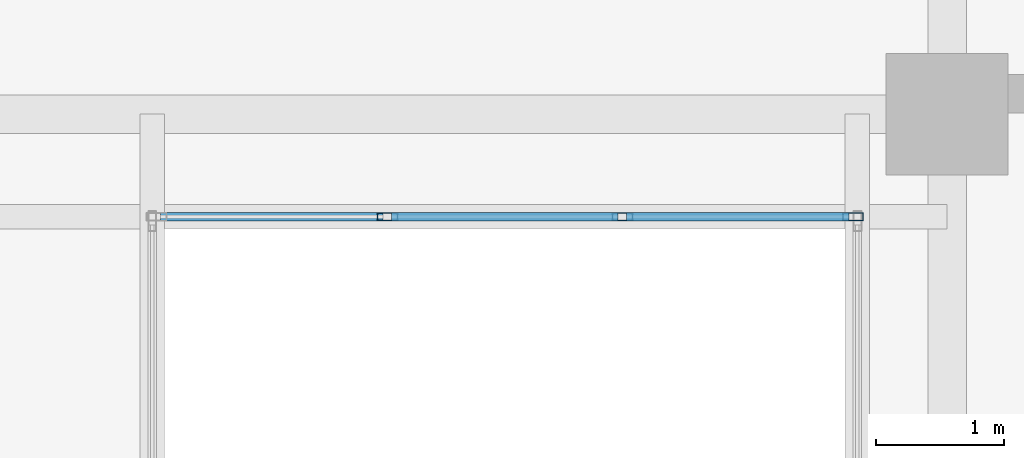
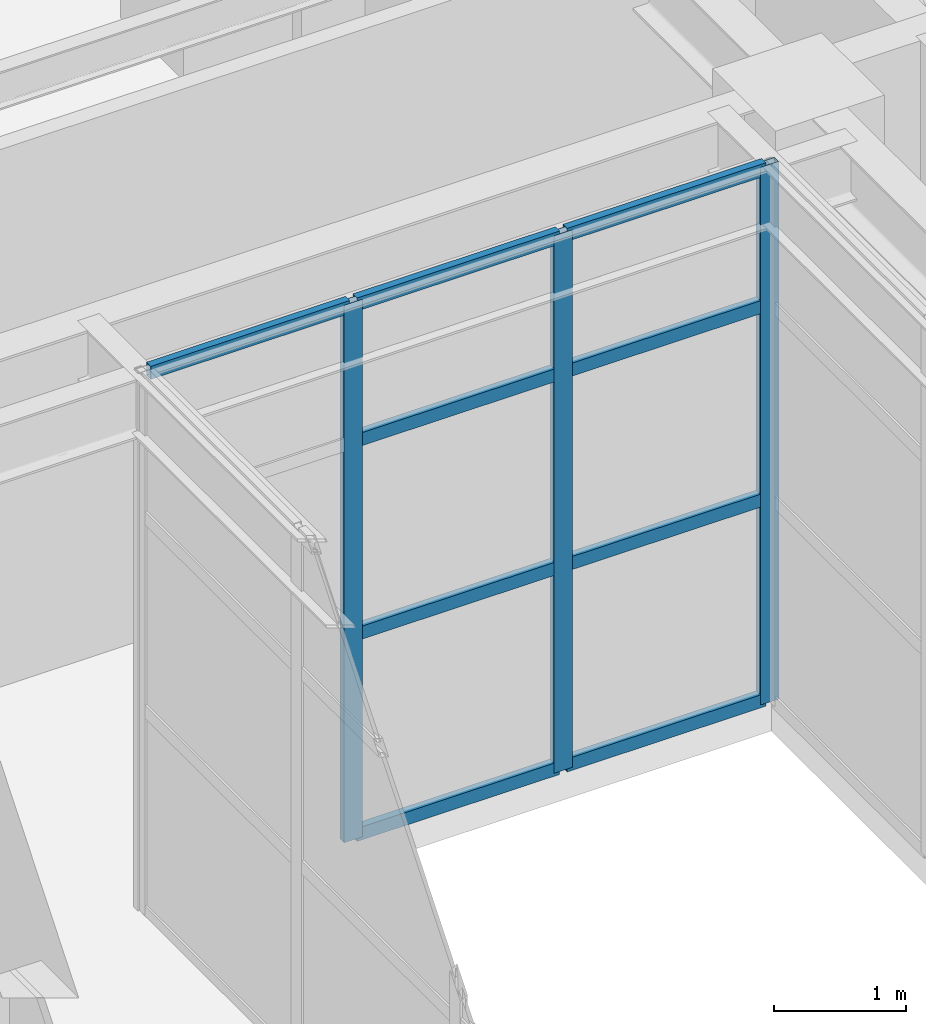
# One storey, part 3 of 13: 12 members, 1 element without a shape of its own.
"""IFC4 building model written with IfcOpenShell, lengths in metres."""

from ifc_helpers import new_model, si_unit, direction, frame, origin, origin_2d, place, context, subcontext, project, spatial, hollow_rectangle, extrude, material, layer, layer_set, material_profile, profile_set, type_object, element, aggregate, save


model = new_model("IFC4")

# Units and contexts
model_context = context("Model", 3, precision=1e-05, world=origin(), true_north=direction((0.0, 1.0)))
body_context = subcontext(model_context, "Body", "Model", "MODEL_VIEW")
ifc_project = project(units=[si_unit("LENGTHUNIT", "METRE"), si_unit("AREAUNIT", "SQUARE_METRE"), si_unit("VOLUMEUNIT", "CUBIC_METRE"), si_unit("PLANEANGLEUNIT", "RADIAN"), si_unit("MASSUNIT", "GRAM", prefix="KILO")], contexts=[model_context])

# Site, building, storey
site_placement = place(None, origin())
site = spatial("IfcSite", under=ifc_project, at=site_placement, CompositionType="ELEMENT")
building_placement = place(site_placement, origin())
building = spatial("IfcBuilding", under=site, at=building_placement, Name="Kundavana Baori Tower", CompositionType="ELEMENT")
storey_placement = place(building_placement, frame((0.0, 0.0, 208.89990234375)))
storey = spatial("IfcBuildingStorey", under=building, at=storey_placement, Name="L51", CompositionType="ELEMENT", Elevation=208.89990234375)

# Curtain wall, members
ifc_material_1 = material(Name="Thermally Broken Anodised Aluminium Framing", Category="aluminium")
ifc_layer = layer(ifc_material_1, 0.219970703125, Name="CW-SYS-5")
ifc_layer_set = layer_set([ifc_layer], Name="Thermally Broken Anodised Aluminium Framing")
curtain_wall_type = type_object("IfcCurtainWallType", Name="CW-SYS-5", PredefinedType="NOTDEFINED", material=ifc_layer_set)
curtain_wall_placement = place(storey_placement, origin())
curtain_wall = element("IfcCurtainWall", 1, at=curtain_wall_placement, inside=storey, type_object=curtain_wall_type, Name="L51 Atrium Glazed Curtain Wall N", PredefinedType="NOTDEFINED")
ifc_material_2 = material(Name="Thermally Broken Anodised Aluminium Framing", Category="aluminium")
ifc_material_profile_1 = material_profile(ifc_material_2, hollow_rectangle(XDim=0.06494140625, YDim=0.159912109375, WallThickness=0.00390625, at=origin_2d()), Name="CW-MULL-160")
ifc_profile_set_1 = profile_set([ifc_material_profile_1], Name="Thermally Broken Anodised Aluminium Framing")
member_type_1 = type_object("IfcMemberType", Name="CW-MULL-160", PredefinedType="MULLION", material=ifc_profile_set_1)
member_1_placement = place(storey_placement, frame((33.0673828125, 32.199951171875, 0.0), z_axis=(0.0, 0.0, 1.0), x_axis=(0.0, -1.0, 0.0)))
member_1 = element("IfcMember", 2, at=member_1_placement, type_object=member_type_1, Name="CW5 mullion 1", PredefinedType="MULLION", context=body_context, shape_type="SweptSolid", body=[
    extrude(hollow_rectangle(XDim=0.06494140625, YDim=0.159912109375, WallThickness=0.00390625, at=origin_2d()), origin(), (0.0, 0.0, 1.0), 4.960205078125),
])
member_2_placement = place(storey_placement, frame((31.2666015625, 32.199951171875, 0.0), z_axis=(0.0, 0.0, 1.0), x_axis=(0.0, -1.0, 0.0)))
member_2 = element("IfcMember", 3, at=member_2_placement, type_object=member_type_1, Name="CW5 mullion 2", PredefinedType="MULLION", context=body_context, shape_type="SweptSolid", body=[
    extrude(hollow_rectangle(XDim=0.06494140625, YDim=0.159912109375, WallThickness=0.00390625, at=origin_2d()), origin(), (0.0, 0.0, 1.0), 4.960205078125),
])
member_3_placement = place(storey_placement, frame((29.433349609375, 32.199951171875, 0.0), z_axis=(0.0, 0.0, 1.0), x_axis=(0.0, -1.0, 0.0)))
member_3 = element("IfcMember", 4, at=member_3_placement, type_object=member_type_1, Name="CW5 mullion 3", PredefinedType="MULLION", context=body_context, shape_type="SweptSolid", body=[
    extrude(hollow_rectangle(XDim=0.06494140625, YDim=0.159912109375, WallThickness=0.00390625, at=origin_2d()), origin(), (0.0, 0.0, 1.0), 4.960205078125),
])
ifc_material_3 = material(Name="Thermally Broken Anodised Aluminium Framing", Category="aluminium")
ifc_material_profile_2 = material_profile(ifc_material_3, hollow_rectangle(XDim=0.06494140625, YDim=0.1201171875, WallThickness=0.00390625, at=origin_2d()), Name="CW-TRAN-120")
ifc_profile_set_2 = profile_set([ifc_material_profile_2], Name="Thermally Broken Anodised Aluminium Framing")
member_type_2 = type_object("IfcMemberType", Name="CW-TRAN-120", PredefinedType="USERDEFINED", material=ifc_profile_set_2)
member_4_placement = place(storey_placement, frame((33.034912109375, 32.199951171875, 0.03271484375), z_axis=(-1.0, 0.0, 0.0), x_axis=(0.0, -1.0, 0.0)))
member_4 = element("IfcMember", 5, at=member_4_placement, type_object=member_type_2, Name="CW5 transom 1.1", ObjectType="TRANSOM", PredefinedType="USERDEFINED", context=body_context, shape_type="SweptSolid", body=[
    extrude(hollow_rectangle(XDim=0.06494140625, YDim=0.1201171875, WallThickness=0.00390625, at=origin_2d()), origin(), (0.0, 0.0, 1.0), 1.73583984375),
])
member_5_placement = place(storey_placement, frame((33.034912109375, 32.199951171875, 1.885009765625), z_axis=(-1.0, 0.0, 0.0), x_axis=(0.0, -1.0, 0.0)))
member_5 = element("IfcMember", 6, at=member_5_placement, type_object=member_type_2, Name="CW5 transom 1.2", ObjectType="TRANSOM", PredefinedType="USERDEFINED", context=body_context, shape_type="SweptSolid", body=[
    extrude(hollow_rectangle(XDim=0.06494140625, YDim=0.1201171875, WallThickness=0.00390625, at=origin_2d()), origin(), (0.0, 0.0, 1.0), 1.73583984375),
])
member_6_placement = place(storey_placement, frame((33.034912109375, 32.199951171875, 3.67041015625), z_axis=(-1.0, 0.0, 0.0), x_axis=(0.0, -1.0, 0.0)))
member_6 = element("IfcMember", 7, at=member_6_placement, type_object=member_type_2, Name="CW5 transom 1.3", ObjectType="TRANSOM", PredefinedType="USERDEFINED", context=body_context, shape_type="SweptSolid", body=[
    extrude(hollow_rectangle(XDim=0.06494140625, YDim=0.1201171875, WallThickness=0.00390625, at=origin_2d()), origin(), (0.0, 0.0, 1.0), 1.73583984375),
])
member_7_placement = place(storey_placement, frame((33.034912109375, 32.199951171875, 4.927490234375), z_axis=(-1.0, 0.0, 0.0), x_axis=(0.0, -1.0, 0.0)))
member_7 = element("IfcMember", 8, at=member_7_placement, type_object=member_type_2, Name="CW5 transom 1.4", ObjectType="TRANSOM", PredefinedType="USERDEFINED", context=body_context, shape_type="SweptSolid", body=[
    extrude(hollow_rectangle(XDim=0.06494140625, YDim=0.1201171875, WallThickness=0.00390625, at=origin_2d()), origin(), (0.0, 0.0, 1.0), 1.73583984375),
])
member_8_placement = place(storey_placement, frame((31.234130859375, 32.199951171875, 0.03271484375), z_axis=(-1.0, 0.0, 0.0), x_axis=(0.0, -1.0, 0.0)))
member_8 = element("IfcMember", 9, at=member_8_placement, type_object=member_type_2, Name="CW5 transom 2.1", ObjectType="TRANSOM", PredefinedType="USERDEFINED", context=body_context, shape_type="SweptSolid", body=[
    extrude(hollow_rectangle(XDim=0.06494140625, YDim=0.1201171875, WallThickness=0.00390625, at=origin_2d()), origin(), (0.0, 0.0, 1.0), 1.768310546875),
])
member_9_placement = place(storey_placement, frame((31.234130859375, 32.199951171875, 1.885009765625), z_axis=(-1.0, 0.0, 0.0), x_axis=(0.0, -1.0, 0.0)))
member_9 = element("IfcMember", 10, at=member_9_placement, type_object=member_type_2, Name="CW5 transom 2.2", ObjectType="TRANSOM", PredefinedType="USERDEFINED", context=body_context, shape_type="SweptSolid", body=[
    extrude(hollow_rectangle(XDim=0.06494140625, YDim=0.1201171875, WallThickness=0.00390625, at=origin_2d()), origin(), (0.0, 0.0, 1.0), 1.768310546875),
])
member_10_placement = place(storey_placement, frame((31.234130859375, 32.199951171875, 3.67041015625), z_axis=(-1.0, 0.0, 0.0), x_axis=(0.0, -1.0, 0.0)))
member_10 = element("IfcMember", 11, at=member_10_placement, type_object=member_type_2, Name="CW5 transom 2.3", ObjectType="TRANSOM", PredefinedType="USERDEFINED", context=body_context, shape_type="SweptSolid", body=[
    extrude(hollow_rectangle(XDim=0.06494140625, YDim=0.1201171875, WallThickness=0.00390625, at=origin_2d()), origin(), (0.0, 0.0, 1.0), 1.768310546875),
])
member_11_placement = place(storey_placement, frame((31.234130859375, 32.199951171875, 4.927490234375), z_axis=(-1.0, 0.0, 0.0), x_axis=(0.0, -1.0, 0.0)))
member_11 = element("IfcMember", 12, at=member_11_placement, type_object=member_type_2, Name="CW5 transom 2.4", ObjectType="TRANSOM", PredefinedType="USERDEFINED", context=body_context, shape_type="SweptSolid", body=[
    extrude(hollow_rectangle(XDim=0.06494140625, YDim=0.1201171875, WallThickness=0.00390625, at=origin_2d()), origin(), (0.0, 0.0, 1.0), 1.768310546875),
])
member_12_placement = place(storey_placement, frame((29.40087890625, 32.199951171875, 4.927490234375), z_axis=(-1.0, 0.0, 0.0), x_axis=(0.0, -1.0, 0.0)))
member_12 = element("IfcMember", 13, at=member_12_placement, type_object=member_type_2, Name="CW5 transom 3.4", ObjectType="TRANSOM", PredefinedType="USERDEFINED", context=body_context, shape_type="SweptSolid", body=[
    extrude(hollow_rectangle(XDim=0.06494140625, YDim=0.1201171875, WallThickness=0.00390625, at=origin_2d()), origin(), (0.0, 0.0, 1.0), 1.73583984375),
])
aggregate(curtain_wall, [member_1, member_2, member_3, member_4, member_5, member_6, member_7, member_8, member_9, member_10, member_11, member_12])

save(model, "model.ifc")
